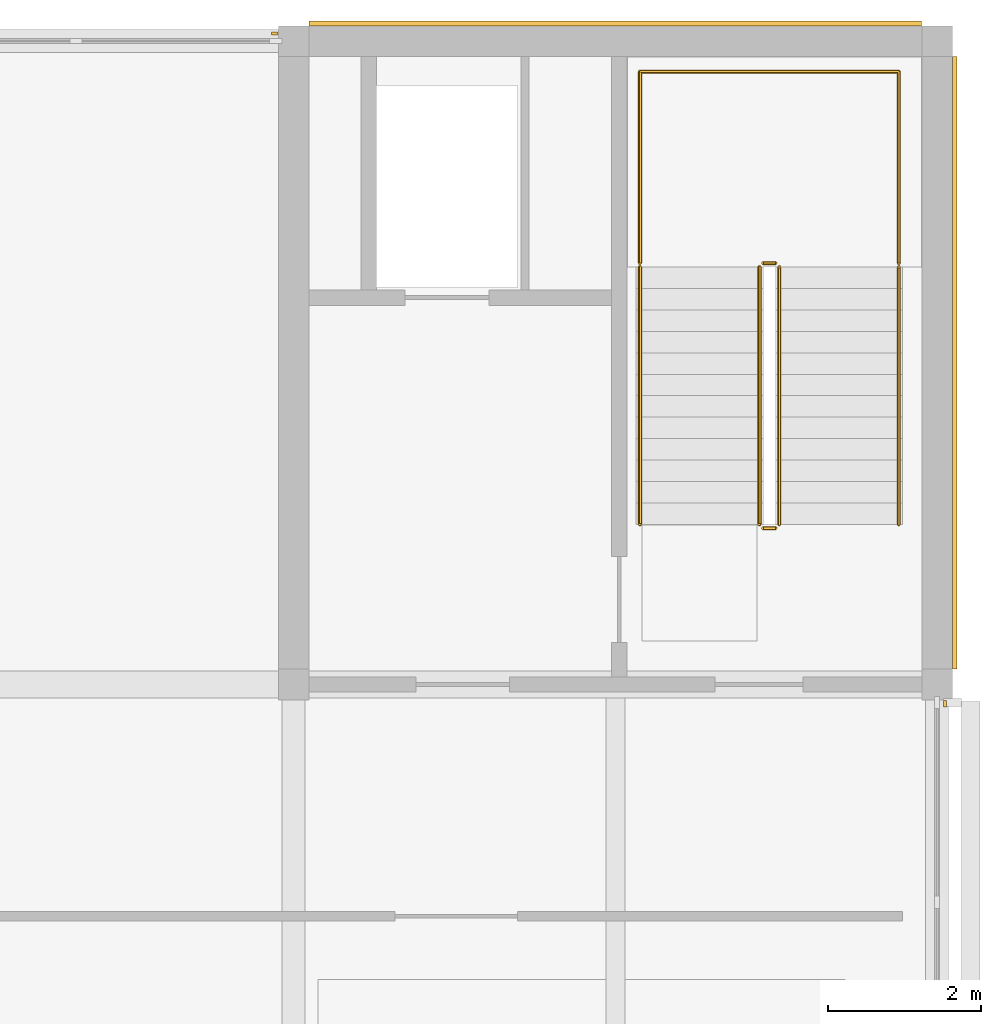
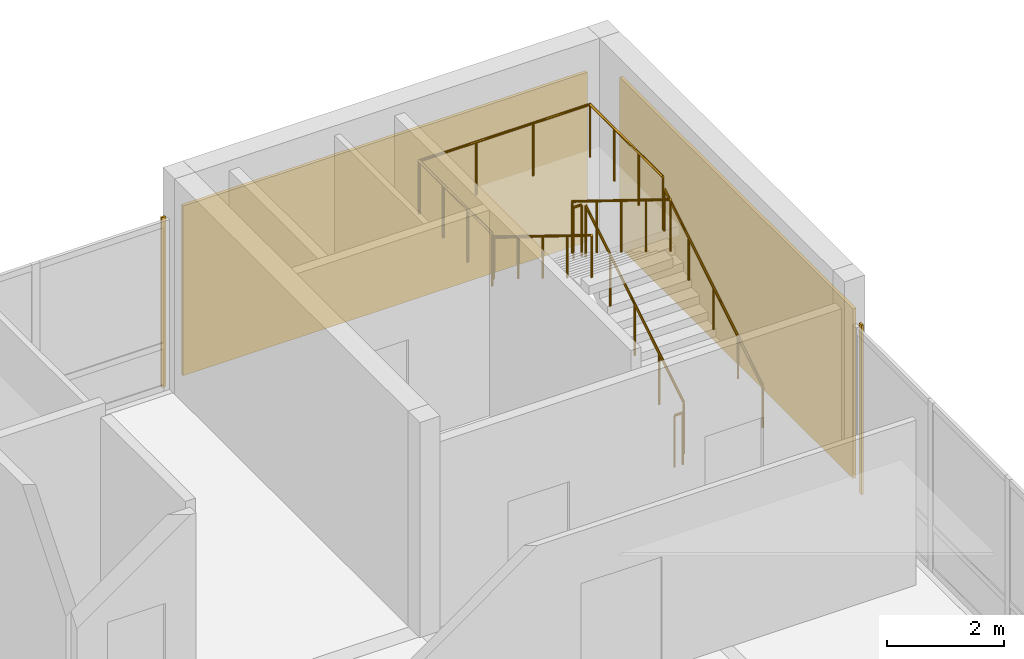
# One storey, part 20 of 20: 7 railings, 4 coverings.
"""IFC4 building model written with IfcOpenShell, lengths in metres."""

import ifcopenshell
import ifcopenshell.guid

model = None  # the IFC model being written
_history = None  # IfcOwnerHistory: only IFC2X3 demands one
_inside = {}  # id of a spatial element -> (the spatial element, [elements in it])
_under = {}  # id of a project, library or spatial element -> (it, [spatial elements below it])
_declared = {}  # id of a project -> (the project, [libraries it declares])
_typed = {}  # id of a type object -> (the type object, [elements of that type])
_made_of = {}  # id of a material, layer set ... -> (it, [elements and type objects made of it])


def new_model(schema):
    """Start an empty IFC model of exactly this schema.

    Asked for "IFC4X3", IfcOpenShell would pick the latest addendum, in which some entities
    have other attributes; the version numbers below select the first issue.
    IFC2X3 requires an IfcOwnerHistory on every rooted entity: one is made here for all.
    """
    global model, _history
    if schema == "IFC4X3":
        model = ifcopenshell.file(schema_version=(4, 3, 0, 0))
    else:
        model = ifcopenshell.file(schema=schema)
    _inside.clear()
    _under.clear()
    _declared.clear()
    _typed.clear()
    _made_of.clear()
    _history = None
    if model.schema == "IFC2X3":
        org = make("IfcOrganization", Name="unknown")
        user = make(
            "IfcPersonAndOrganization",
            ThePerson=make("IfcPerson", FamilyName="unknown"),
            TheOrganization=org,
        )
        app = make(
            "IfcApplication",
            ApplicationDeveloper=org,
            Version="unknown",
            ApplicationFullName="unknown",
            ApplicationIdentifier="unknown",
        )
        _history = make(
            "IfcOwnerHistory",
            OwningUser=user,
            OwningApplication=app,
            ChangeAction="ADDED",
            CreationDate=0,
        )
    return model


def make(cls, **values):
    """One entity of the class cls with the attributes given. An attribute that is None is left unset."""
    return model.create_entity(
        cls, **{name: value for name, value in values.items() if value is not None}
    )


def rooted(cls, **values):
    """An entity with a GlobalId (a new one), such as an element, a storey or a relation."""
    return make(cls, GlobalId=ifcopenshell.guid.new(), OwnerHistory=_history, **values)


def si_unit(unit_type, name, prefix=None):
    """IfcSIUnit, for example si_unit("LENGTHUNIT", "METRE", prefix="MILLI")."""
    return make("IfcSIUnit", UnitType=unit_type, Prefix=prefix, Name=name)


def assignment(units):
    """IfcUnitAssignment: the units of a project."""
    return None if units is None else make("IfcUnitAssignment", Units=units)


def point(xyz):
    """IfcCartesianPoint."""
    return None if xyz is None else make("IfcCartesianPoint", Coordinates=xyz)


def direction(xyz):
    """IfcDirection."""
    return None if xyz is None else make("IfcDirection", DirectionRatios=xyz)


def frame(location, z_axis=None, x_axis=None):
    """IfcAxis2Placement3D, a coordinate frame: its origin and axes. An axis left out is left unset."""
    return make(
        "IfcAxis2Placement3D",
        Location=point(location),
        Axis=direction(z_axis),
        RefDirection=direction(x_axis),
    )


def frame_2d(location, x_axis=None):
    """IfcAxis2Placement2D, a coordinate frame in the plane: its origin and x axis."""
    return make(
        "IfcAxis2Placement2D", Location=point(location), RefDirection=direction(x_axis)
    )


def origin():
    """The frame at (0, 0, 0) with its axes left unset."""
    return frame((0.0, 0.0, 0.0))


def origin_2d():
    """The frame at (0, 0) in the plane with its x axis left unset."""
    return frame_2d((0.0, 0.0))


def place(relative_to, where):
    """IfcLocalPlacement: puts the frame where relative to a parent placement (None: the world)."""
    return make(
        "IfcLocalPlacement", PlacementRelTo=relative_to, RelativePlacement=where
    )


def context(
    kind, dimensions, precision=None, world=None, true_north=None, identifier=None
):
    """IfcGeometricRepresentationContext, for example the 3D "Model" context."""
    return make(
        "IfcGeometricRepresentationContext",
        ContextIdentifier=identifier,
        ContextType=kind,
        CoordinateSpaceDimension=dimensions,
        Precision=precision,
        WorldCoordinateSystem=world,
        TrueNorth=true_north,
    )


def subcontext(parent, identifier, kind, view, scale=None):
    """IfcGeometricRepresentationSubContext, for example "Body" below "Model"."""
    return make(
        "IfcGeometricRepresentationSubContext",
        ContextIdentifier=identifier,
        ContextType=kind,
        ParentContext=parent,
        TargetScale=scale,
        TargetView=view,
    )


def project(units=None, contexts=None):
    """IfcProject with its units and contexts."""
    return rooted(
        "IfcProject",
        Name="project",
        RepresentationContexts=contexts,
        UnitsInContext=assignment(units),
    )


def spatial(cls, under=None, at=None, **own):
    """A site, building, storey or space (cls), placed at a placement, below another one or the project."""
    s = rooted(cls, ObjectPlacement=at, **own)
    if under is not None:
        _under.setdefault(under.id(), (under, []))[1].append(s)
    return s


def profile(cls, at=None, kind="AREA", **sizes):
    """A parametric profile (cls). Its sizes go by their IFC names, for example OverallWidth=200.0."""
    return make(cls, ProfileType=kind, Position=at, **sizes)


def rectangle(**sizes):
    """IfcRectangleProfileDef."""
    return profile("IfcRectangleProfileDef", **sizes)


def circle(**sizes):
    """IfcCircleProfileDef."""
    return profile("IfcCircleProfileDef", **sizes)


def extrude(swept, where, along, depth):
    """IfcExtrudedAreaSolid: the profile swept, set in the frame where, extruded along a direction by depth."""
    return make(
        "IfcExtrudedAreaSolid",
        SweptArea=swept,
        Position=where,
        ExtrudedDirection=direction(along),
        Depth=depth,
    )


def shape(context_of_items, identifier, shape_type, items):
    """IfcShapeRepresentation: the items that make up one representation, for example the "Body"."""
    return make(
        "IfcShapeRepresentation",
        ContextOfItems=context_of_items,
        RepresentationIdentifier=identifier,
        RepresentationType=shape_type,
        Items=items,
    )


def material(Name=None, Category=None):
    """IfcMaterial."""
    return make("IfcMaterial", Name=Name, Category=Category)


def layer(
    of_material, thickness, ventilated=None, Name=None, Category=None, Priority=None
):
    """IfcMaterialLayer: one layer of a wall or slab, of a material (None: an air gap)."""
    return make(
        "IfcMaterialLayer",
        Material=of_material,
        LayerThickness=thickness,
        IsVentilated=ventilated,
        Name=Name,
        Category=Category,
        Priority=Priority,
    )


def layer_set(layers, Name=None):
    """IfcMaterialLayerSet."""
    return make("IfcMaterialLayerSet", MaterialLayers=layers, LayerSetName=Name)


def made_of(thing, what):
    """Note that an element or type object is made of a material, layer set ...; save() writes the relation."""
    if what is not None:
        _made_of.setdefault(what.id(), (what, []))[1].append(thing)
    return thing


def type_object(cls, material=None, **own):
    """A type object (cls), such as IfcWallType, which elements share."""
    return made_of(rooted(cls, **own), material)


def element(
    cls,
    number,
    at=None,
    inside=None,
    cuts=None,
    type_object=None,
    material=None,
    context=None,
    identifier="Body",
    shape_type=None,
    held_by="IfcProductDefinitionShape",
    body=None,
    shapes=None,
    **own,
):
    """One element of the class cls, such as IfcWall. Its Tag is "e" and its number.

    at: its placement. inside: the storey or other place that contains it. cuts: it is an
    opening in that element (IfcRelVoidsElement). A single representation is given by context,
    identifier, shape_type and body (its items); several are given by shapes. held_by: the class
    of the entity that holds the representations. save() writes the other relations.
    """
    e = rooted(cls, Tag="e%d" % number, ObjectPlacement=at, **own)
    if body is not None:
        shapes = [shape(context, identifier, shape_type, body)]
    if shapes is not None:
        e.Representation = make(held_by, Representations=shapes)
    if inside is not None:
        _inside.setdefault(inside.id(), (inside, []))[1].append(e)
    if cuts is not None:
        rooted(
            "IfcRelVoidsElement", RelatingBuildingElement=cuts, RelatedOpeningElement=e
        )
    if type_object is not None:
        _typed.setdefault(type_object.id(), (type_object, []))[1].append(e)
    return made_of(e, material)


def aggregate(whole, parts):
    """IfcRelAggregates: a whole, such as a stair, and the parts it consists of."""
    return rooted("IfcRelAggregates", RelatingObject=whole, RelatedObjects=parts)


def save(model, path):
    """Write the relations noted so far, then the file.

    IfcRelAggregates (storeys below a building ...), IfcRelContainedInSpatialStructure (elements
    in a storey), IfcRelDefinesByType, IfcRelAssociatesMaterial and IfcRelDeclares: one each for
    every whole, place, type object, material and project.
    """
    for whole, parts in _under.values():
        aggregate(whole, parts)
    for where, things in _inside.values():
        rooted(
            "IfcRelContainedInSpatialStructure",
            RelatedElements=things,
            RelatingStructure=where,
        )
    for kind, things in _typed.values():
        rooted("IfcRelDefinesByType", RelatedObjects=things, RelatingType=kind)
    for what, things in _made_of.values():
        rooted("IfcRelAssociatesMaterial", RelatedObjects=things, RelatingMaterial=what)
    for by, libraries in _declared.values():
        rooted("IfcRelDeclares", RelatingContext=by, RelatedDefinitions=libraries)
    model.write(path)


model = new_model("IFC4")

# Units and contexts
model_context = context("Model", 3, precision=1e-05, world=origin(), true_north=direction((0.0, 1.0)))
body_context = subcontext(model_context, "Body", "Model", "MODEL_VIEW")
ifc_project = project(units=[si_unit("LENGTHUNIT", "METRE"), si_unit("AREAUNIT", "SQUARE_METRE"), si_unit("VOLUMEUNIT", "CUBIC_METRE"), si_unit("PLANEANGLEUNIT", "RADIAN"), si_unit("MASSUNIT", "GRAM", prefix="KILO")], contexts=[model_context])

# Site, building, storey
site_placement = place(None, origin())
site = spatial("IfcSite", under=ifc_project, at=site_placement, CompositionType="ELEMENT")
building_placement = place(site_placement, origin())
building = spatial("IfcBuilding", under=site, at=building_placement, Name="Telukmera Botanical Conservatory", CompositionType="ELEMENT")
storey_placement = place(building_placement, frame((0.0, 0.0, 69.0)))
storey = spatial("IfcBuildingStorey", under=building, at=storey_placement, Name="L15", CompositionType="ELEMENT", Elevation=69.0)

# Coverings
ifc_material_1 = material(Name="Granite-faced precast concrete C40/50", Category="masonry")
ifc_layer_1 = layer(ifc_material_1, 0.0400390625)
ifc_layer_set_1 = layer_set([ifc_layer_1], Name="Granite-faced precast concrete C40/50")
covering_type_1 = type_object("IfcCoveringType", Name="Granite Precast Column Pier Reveal Casing", PredefinedType="CLADDING", material=ifc_layer_set_1)
for number, where, z_axis, x_axis, name in (
    (1, (92.14794921875, 34.5, 0.0), (0.0, 0.0, 1.0), (1.0, 0.0, 0.0), "Granite Pier Reveal V4:L15:N4 R"),
    (2, (100.89990234375, 25.748046875, 0.0), (0.0, 0.0, 1.0), (0.0, 1.0, 0.0), "Granite Pier Reveal V4:L15:E2 R"),
):
    element("IfcCovering", number, at=place(storey_placement, frame(where, z_axis=z_axis, x_axis=x_axis)), inside=storey, type_object=covering_type_1, Name=name, PredefinedType="CLADDING", context=body_context, shape_type="SweptSolid", body=[
        extrude(rectangle(XDim=0.080078125, YDim=0.0400390625, at=origin_2d()), origin(), (0.0, 0.0, 1.0), 3.550048828125),
    ])

# Railings
ifc_material_2 = material(Name="Steel S355", Category="steel")
railing_type_1 = type_object("IfcRailingType", Name="RL-GUARD-1100", PredefinedType="GUARDRAIL", material=ifc_material_2)
railing_1_placement = place(storey_placement, frame((98.739990234375, 28.090087890625, 0.173095703125)))
element("IfcRailing", 3, at=railing_1_placement, inside=storey, type_object=railing_type_1, Name="L15 ST2 stair guard 1", PredefinedType="GUARDRAIL", context=body_context, shape_type="SweptSolid", body=[
    extrude(circle(Radius=0.02392578125, at=origin_2d()), frame((0.0, 0.0, 1.076171875), z_axis=(0.0, 0.850606129759, 0.525803396734), x_axis=(-1.0, 0.0, 0.0)), (0.0, 0.0, 1.0), 3.949951171875),
    extrude(circle(Radius=0.02099609375, at=origin_2d()), origin(), (0.0, 0.0, 1.0), 1.052001953125),
    extrude(circle(Radius=0.02099609375, at=origin_2d()), frame((0.0, 0.83984375, 0.519287109375)), (0.0, 0.0, 1.0), 1.052001953125),
    extrude(circle(Radius=0.02099609375, at=origin_2d()), frame((0.0, 1.679931640625, 1.03857421875)), (0.0, 0.0, 1.0), 1.052001953125),
    extrude(circle(Radius=0.02099609375, at=origin_2d()), frame((0.0, 2.52001953125, 1.5576171875)), (0.0, 0.0, 1.0), 1.052001953125),
    extrude(circle(Radius=0.02099609375, at=origin_2d()), frame((0.0, 3.35986328125, 2.076904296875)), (0.0, 0.0, 1.0), 1.052001953125),
])
railing_2_placement = place(storey_placement, frame((98.68994140625, 31.5, 2.25)))
element("IfcRailing", 4, at=railing_2_placement, inside=storey, type_object=railing_type_1, Name="L15 ST2 stair guard 2", PredefinedType="GUARDRAIL", context=body_context, shape_type="SweptSolid", body=[
    extrude(circle(Radius=0.02392578125, at=origin_2d()), frame((0.0, 0.0, 1.076171875), z_axis=(-1.0, 0.0, 0.0), x_axis=(0.0, -1.0, 0.0)), (0.0, 0.0, 1.0), 0.159912109375),
    extrude(circle(Radius=0.02099609375, at=origin_2d()), origin(), (0.0, 0.0, 1.0), 1.052001953125),
    extrude(circle(Radius=0.02099609375, at=origin_2d()), frame((-0.159912109375, 0.0, 0.0)), (0.0, 0.0, 1.0), 1.052001953125),
])
railing_3_placement = place(storey_placement, frame((98.47998046875, 31.449951171875, 2.423095703125)))
element("IfcRailing", 5, at=railing_3_placement, inside=storey, type_object=railing_type_1, Name="L15 ST2 stair guard 3", PredefinedType="GUARDRAIL", context=body_context, shape_type="SweptSolid", body=[
    extrude(circle(Radius=0.02392578125, at=origin_2d()), frame((0.0, 0.0, 1.076171875), z_axis=(0.0, -0.850606129759, 0.525803396734), x_axis=(1.0, 0.0, 0.0)), (0.0, 0.0, 1.0), 3.949951171875),
    extrude(circle(Radius=0.02099609375, at=origin_2d()), origin(), (0.0, 0.0, 1.0), 1.052001953125),
    extrude(circle(Radius=0.02099609375, at=origin_2d()), frame((0.0, -0.83984375, 0.519287109375)), (0.0, 0.0, 1.0), 1.052001953125),
    extrude(circle(Radius=0.02099609375, at=origin_2d()), frame((0.0, -1.679931640625, 1.03857421875)), (0.0, 0.0, 1.0), 1.052001953125),
    extrude(circle(Radius=0.02099609375, at=origin_2d()), frame((0.0, -2.52001953125, 1.5576171875)), (0.0, 0.0, 1.0), 1.052001953125),
    extrude(circle(Radius=0.02099609375, at=origin_2d()), frame((0.0, -3.35986328125, 2.076904296875)), (0.0, 0.0, 1.0), 1.052001953125),
])
railing_4_placement = place(storey_placement, frame((98.68994140625, 28.0400390625, 0.0)))
element("IfcRailing", 6, at=railing_4_placement, inside=storey, type_object=railing_type_1, Name="L15 ST2 stair guard 4", PredefinedType="GUARDRAIL", context=body_context, shape_type="SweptSolid", body=[
    extrude(circle(Radius=0.02392578125, at=origin_2d()), frame((0.0, 0.0, 1.076171875), z_axis=(-1.0, 0.0, 0.0), x_axis=(0.0, -1.0, 0.0)), (0.0, 0.0, 1.0), 0.159912109375),
    extrude(circle(Radius=0.02099609375, at=origin_2d()), origin(), (0.0, 0.0, 1.0), 1.052001953125),
    extrude(circle(Radius=0.02099609375, at=origin_2d()), frame((-0.159912109375, 0.0, 0.0)), (0.0, 0.0, 1.0), 1.052001953125),
])
railing_5_placement = place(storey_placement, frame((100.300048828125, 31.5, 2.25)))
element("IfcRailing", 7, at=railing_5_placement, inside=storey, type_object=railing_type_1, Name="L15 ST2 half-landing perimeter guard 1", PredefinedType="GUARDRAIL", context=body_context, shape_type="SweptSolid", body=[
    extrude(circle(Radius=0.02392578125, at=origin_2d()), frame((0.0, 0.0, 1.09619140625), z_axis=(0.0, 1.0, 0.0), x_axis=(-1.0, 0.0, 0.0)), (0.0, 0.0, 1.0), 2.5),
    extrude(circle(Radius=0.02392578125, at=origin_2d()), frame((0.0, 2.5, 1.09619140625), z_axis=(-1.0, 0.0, 0.0), x_axis=(0.0, -1.0, 0.0)), (0.0, 0.0, 1.0), 3.380126953125),
    extrude(circle(Radius=0.02392578125, at=origin_2d()), frame((-3.380126953125, 2.5, 1.09619140625), z_axis=(0.0, -1.0, 0.0), x_axis=(1.0, 0.0, 0.0)), (0.0, 0.0, 1.0), 2.5),
    extrude(circle(Radius=0.02099609375, at=origin_2d()), origin(), (0.0, 0.0, 1.0), 1.072021484375),
    extrude(circle(Radius=0.02099609375, at=origin_2d()), frame((0.0, 0.833251953125, 0.0)), (0.0, 0.0, 1.0), 1.072021484375),
    extrude(circle(Radius=0.02099609375, at=origin_2d()), frame((0.0, 1.666748046875, 0.0)), (0.0, 0.0, 1.0), 1.072021484375),
    extrude(circle(Radius=0.02099609375, at=origin_2d()), frame((0.0, 2.5, 0.0)), (0.0, 0.0, 1.0), 1.072021484375),
    extrude(circle(Radius=0.02099609375, at=origin_2d()), frame((-1.126708984375, 2.5, 0.0)), (0.0, 0.0, 1.0), 1.072021484375),
    extrude(circle(Radius=0.02099609375, at=origin_2d()), frame((-2.25341796875, 2.5, 0.0)), (0.0, 0.0, 1.0), 1.072021484375),
    extrude(circle(Radius=0.02099609375, at=origin_2d()), frame((-3.380126953125, 2.5, 0.0)), (0.0, 0.0, 1.0), 1.072021484375),
    extrude(circle(Radius=0.02099609375, at=origin_2d()), frame((-3.380126953125, 1.666748046875, 0.0)), (0.0, 0.0, 1.0), 1.072021484375),
    extrude(circle(Radius=0.02099609375, at=origin_2d()), frame((-3.380126953125, 0.833251953125, 0.0)), (0.0, 0.0, 1.0), 1.072021484375),
    extrude(circle(Radius=0.02099609375, at=origin_2d()), frame((-3.380126953125, 0.0, 0.0)), (0.0, 0.0, 1.0), 1.072021484375),
])
ifc_material_3 = material(Name="Stainless steel 316", Category="steel")
railing_type_2 = type_object("IfcRailingType", Name="RL-HAND-900", PredefinedType="HANDRAIL", material=ifc_material_3)
railing_6_placement = place(storey_placement, frame((100.300048828125, 28.090087890625, 0.173095703125)))
element("IfcRailing", 8, at=railing_6_placement, inside=storey, type_object=railing_type_2, Name="L15 ST2 stair handrail 1", PredefinedType="HANDRAIL", context=body_context, shape_type="SweptSolid", body=[
    extrude(circle(Radius=0.02392578125, at=origin_2d()), frame((0.0, 0.0, 0.8759765625), z_axis=(0.0, 0.850606129759, 0.525803396734), x_axis=(-1.0, 0.0, 0.0)), (0.0, 0.0, 1.0), 3.949951171875),
    extrude(circle(Radius=0.02099609375, at=origin_2d()), origin(), (0.0, 0.0, 1.0), 0.851806640625),
    extrude(circle(Radius=0.02099609375, at=origin_2d()), frame((0.0, 0.83984375, 0.519287109375)), (0.0, 0.0, 1.0), 0.851806640625),
    extrude(circle(Radius=0.02099609375, at=origin_2d()), frame((0.0, 1.679931640625, 1.03857421875)), (0.0, 0.0, 1.0), 0.851806640625),
    extrude(circle(Radius=0.02099609375, at=origin_2d()), frame((0.0, 2.52001953125, 1.5576171875)), (0.0, 0.0, 1.0), 0.851806640625),
    extrude(circle(Radius=0.02099609375, at=origin_2d()), frame((0.0, 3.35986328125, 2.076904296875)), (0.0, 0.0, 1.0), 0.851806640625),
])
railing_7_placement = place(storey_placement, frame((96.919921875, 31.449951171875, 2.423095703125)))
element("IfcRailing", 9, at=railing_7_placement, inside=storey, type_object=railing_type_2, Name="L15 ST2 stair handrail 2", PredefinedType="HANDRAIL", context=body_context, shape_type="SweptSolid", body=[
    extrude(circle(Radius=0.02392578125, at=origin_2d()), frame((0.0, 0.0, 0.8759765625), z_axis=(0.0, -0.850606129759, 0.525803396734), x_axis=(1.0, 0.0, 0.0)), (0.0, 0.0, 1.0), 3.949951171875),
    extrude(circle(Radius=0.02099609375, at=origin_2d()), origin(), (0.0, 0.0, 1.0), 0.851806640625),
    extrude(circle(Radius=0.02099609375, at=origin_2d()), frame((0.0, -0.83984375, 0.519287109375)), (0.0, 0.0, 1.0), 0.851806640625),
    extrude(circle(Radius=0.02099609375, at=origin_2d()), frame((0.0, -1.679931640625, 1.03857421875)), (0.0, 0.0, 1.0), 0.851806640625),
    extrude(circle(Radius=0.02099609375, at=origin_2d()), frame((0.0, -2.52001953125, 1.5576171875)), (0.0, 0.0, 1.0), 0.851806640625),
    extrude(circle(Radius=0.02099609375, at=origin_2d()), frame((0.0, -3.35986328125, 2.076904296875)), (0.0, 0.0, 1.0), 0.851806640625),
])

# Coverings
ifc_material_4 = material(Name="Terracotta-faced precast concrete C40/50", Category="masonry")
ifc_layer_2 = layer(ifc_material_4, 0.06005859375)
ifc_layer_set_2 = layer_set([ifc_layer_2], Name="Terracotta-faced precast concrete C40/50")
covering_type_2 = type_object("IfcCoveringType", Name="Terracotta Core Perimeter Cladding Panel", PredefinedType="CLADDING", material=ifc_layer_set_2)
for number, where, z_axis, x_axis, name in (
    (10, (96.60009765625, 34.6298828125, 0.0), (0.0, 0.0, 1.0), (1.0, 0.0, 0.0), "Core Perimeter Terracotta Cladding V4:L15:N5"),
    (11, (101.030029296875, 30.199951171875, 0.0), (0.0, 0.0, 1.0), (0.0, 1.0, 0.0), "Core Perimeter Terracotta Cladding V4:L15:E3"),
):
    element("IfcCovering", number, at=place(storey_placement, frame(where, z_axis=z_axis, x_axis=x_axis)), inside=storey, type_object=covering_type_2, Name=name, PredefinedType="CLADDING", context=body_context, shape_type="SweptSolid", body=[
        extrude(rectangle(XDim=7.99609375, YDim=0.06005859375, at=origin_2d()), origin(), (0.0, 0.0, 1.0), 3.550048828125),
    ])

save(model, "model.ifc")
